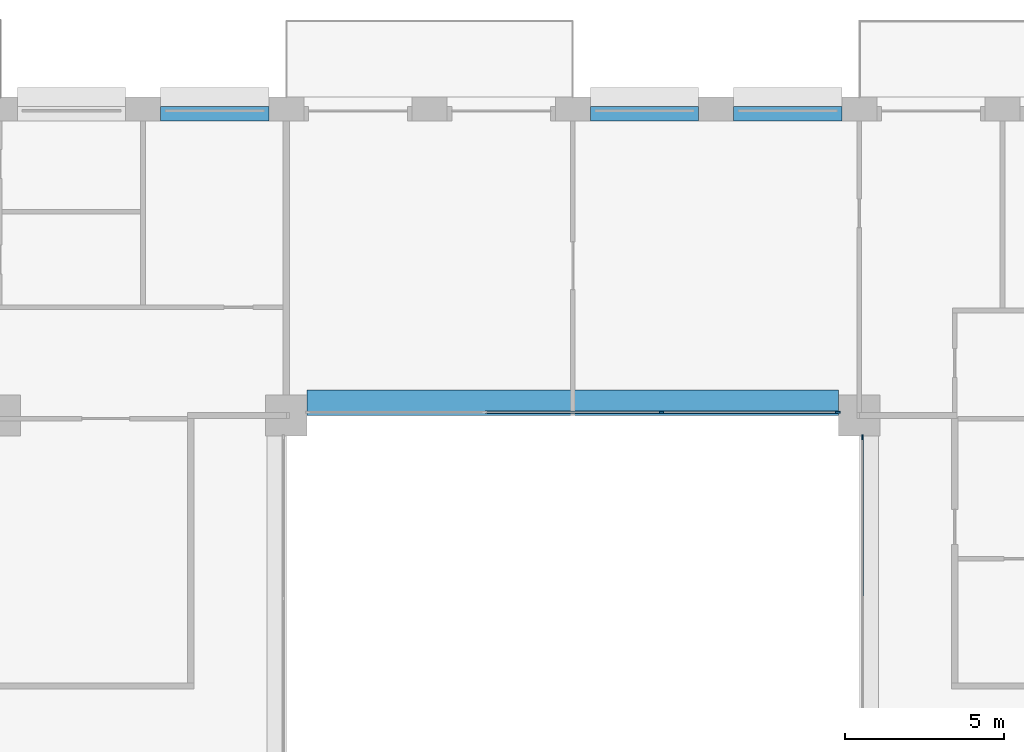
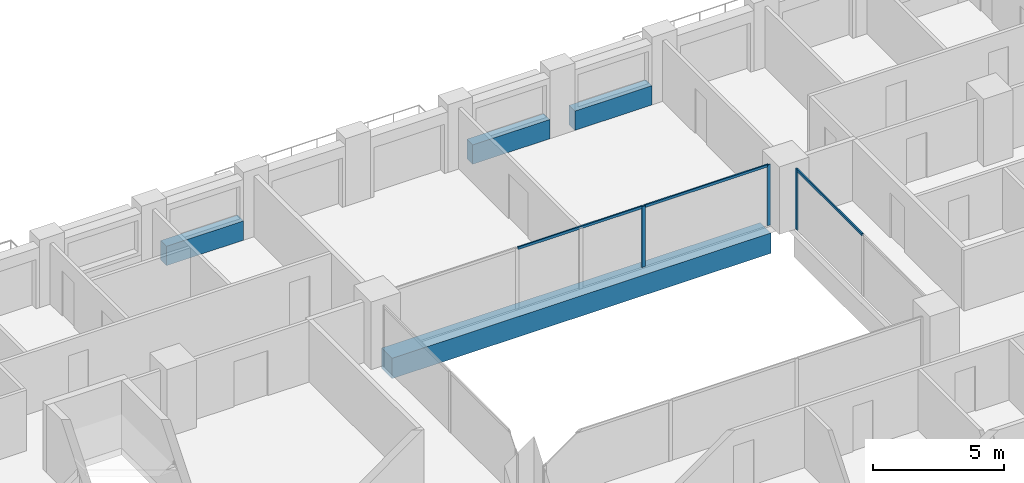
# One storey, part 6 of 16: 6 members, 4 beams, 2 elements without a shape of their own.
"""IFC4 building model written with IfcOpenShell, lengths in metres."""

from ifc_helpers import new_model, si_unit, direction, frame, origin, origin_2d, place, context, subcontext, project, spatial, rectangle, extrude, material, layer, layer_set, material_profile, profile_set, type_object, element, aggregate, save


model = new_model("IFC4")

# Units and contexts
model_context = context("Model", 3, precision=1e-05, world=origin(), true_north=direction((0.0, 1.0)))
body_context = subcontext(model_context, "Body", "Model", "MODEL_VIEW")
ifc_project = project(units=[si_unit("LENGTHUNIT", "METRE"), si_unit("AREAUNIT", "SQUARE_METRE"), si_unit("VOLUMEUNIT", "CUBIC_METRE"), si_unit("PLANEANGLEUNIT", "RADIAN"), si_unit("MASSUNIT", "GRAM", prefix="KILO")], contexts=[model_context])

# Site, building, storey
site_placement = place(None, origin())
site = spatial("IfcSite", under=ifc_project, at=site_placement, CompositionType="ELEMENT")
building_placement = place(site_placement, origin())
building = spatial("IfcBuilding", under=site, at=building_placement, Name="Brigalow Station Residences", CompositionType="ELEMENT")
storey_placement = place(building_placement, frame((0.0, 0.0, 83.550048828125)))
storey = spatial("IfcBuildingStorey", under=building, at=storey_placement, Name="L23", CompositionType="ELEMENT", Elevation=83.550048828125)

# Beam
ifc_material_1 = material(Name="Concrete C65", Category="concrete")
ifc_material_profile_1 = material_profile(ifc_material_1, rectangle(XDim=0.800048828125, YDim=0.949951171875, at=origin_2d()), Name="RC800x950")
ifc_profile_set_1 = profile_set([ifc_material_profile_1], Name="Concrete C65")
beam_type_1 = type_object("IfcBeamType", Name="ATRIUM EDGE GIRDER OVER 13.5 M SPAN 800x950 C65", PredefinedType="BEAM", material=ifc_profile_set_1)
beam_placement = place(storey_placement, frame((27.64990234375, 35.89990234375, -0.795166015625), z_axis=(1.0, 0.0, 0.0), x_axis=(0.0, 1.0, 0.0)))
element("IfcBeam", 1, at=beam_placement, inside=storey, type_object=beam_type_1, Name="ATRIUM EDGE GIRDER D L23", PredefinedType="BEAM", context=body_context, shape_type="SweptSolid", body=[
    extrude(rectangle(XDim=0.800048828125, YDim=0.949951171875, at=origin_2d()), origin(), (0.0, 0.0, 1.0), 16.7001953125),
])

# Curtain wall, member
ifc_material_2 = material(Name="Aluminium", Category="aluminium")
ifc_layer = layer(ifc_material_2, 0.14990234375)
ifc_layer_set = layer_set([ifc_layer], Name="ATRIUM FIRE-RATED GLAZING CURTAIN WALL")
curtain_wall_type = type_object("IfcCurtainWallType", Name="ATRIUM FIRE-RATED GLAZING CURTAIN WALL", PredefinedType="NOTDEFINED", material=ifc_layer_set)
curtain_wall_1_placement = place(storey_placement, origin())
curtain_wall_1 = element("IfcCurtainWall", 2, at=curtain_wall_1_placement, inside=storey, type_object=curtain_wall_type, Name="L23/cw/atrium-E", PredefinedType="NOTDEFINED")
ifc_material_3 = material(Name="Aluminium", Category="aluminium")
ifc_material_profile_2 = material_profile(ifc_material_3, rectangle(XDim=0.06005859375, YDim=0.14990234375, at=origin_2d()), Name="ATRIUM FIRE-RATED GLAZING MULLION 60x150")
ifc_profile_set_2 = profile_set([ifc_material_profile_2], Name="Aluminium")
member_type_1 = type_object("IfcMemberType", Name="ATRIUM FIRE-RATED GLAZING MULLION 60x150", PredefinedType="MULLION", material=ifc_profile_set_2)
member_1_placement = place(storey_placement, frame((45.10009765625, 34.820068359375, 0.0), z_axis=(0.0, 0.0, 1.0), x_axis=(-1.0, 0.0, 0.0)))
member_1 = element("IfcMember", 3, at=member_1_placement, type_object=member_type_1, Name="L23/cw/atrium-E/M02", PredefinedType="MULLION", context=body_context, shape_type="SweptSolid", body=[
    extrude(rectangle(XDim=0.06005859375, YDim=0.14990234375, at=origin_2d()), origin(), (0.0, 0.0, 1.0), 2.829833984375),
])

# Curtain wall, members
curtain_wall_2_placement = place(storey_placement, origin())
curtain_wall_2 = element("IfcCurtainWall", 4, at=curtain_wall_2_placement, inside=storey, type_object=curtain_wall_type, Name="L23/cw/atrium-N", PredefinedType="NOTDEFINED")
member_2_placement = place(storey_placement, frame((44.320068359375, 35.60009765625, 0.0), z_axis=(0.0, 0.0, 1.0), x_axis=(0.0, -1.0, 0.0)))
member_2 = element("IfcMember", 5, at=member_2_placement, type_object=member_type_1, Name="L23/cw/atrium-N/M00", PredefinedType="MULLION", context=body_context, shape_type="SweptSolid", body=[
    extrude(rectangle(XDim=0.06005859375, YDim=0.14990234375, at=origin_2d()), origin(), (0.0, 0.0, 1.0), 2.829833984375),
])
member_3_placement = place(storey_placement, frame((38.783203125, 35.60009765625, 0.0), z_axis=(0.0, 0.0, 1.0), x_axis=(0.0, -1.0, 0.0)))
member_3 = element("IfcMember", 6, at=member_3_placement, type_object=member_type_1, Name="L23/cw/atrium-N/M01", PredefinedType="MULLION", context=body_context, shape_type="SweptSolid", body=[
    extrude(rectangle(XDim=0.06005859375, YDim=0.14990234375, at=origin_2d()), origin(), (0.0, 0.0, 1.0), 2.829833984375),
])

# Member
ifc_material_4 = material(Name="Aluminium", Category="aluminium")
ifc_material_profile_3 = material_profile(ifc_material_4, rectangle(XDim=0.06005859375, YDim=0.1201171875, at=origin_2d()), Name="ATRIUM FIRE-RATED GLAZING TRANSOM 60x120")
ifc_profile_set_3 = profile_set([ifc_material_profile_3], Name="Aluminium")
member_type_2 = type_object("IfcMemberType", Name="ATRIUM FIRE-RATED GLAZING TRANSOM 60x120", PredefinedType="USERDEFINED", material=ifc_profile_set_3)
member_4_placement = place(storey_placement, frame((45.10009765625, 29.780029296875, 2.800048828125), z_axis=(0.0, 1.0, 0.0), x_axis=(-1.0, 0.0, 0.0)))
member_4 = element("IfcMember", 7, at=member_4_placement, type_object=member_type_2, Name="L23/cw/atrium-E/T01-00", ObjectType="TRANSOM", PredefinedType="USERDEFINED", context=body_context, shape_type="SweptSolid", body=[
    extrude(rectangle(XDim=0.06005859375, YDim=0.1201171875, at=origin_2d()), origin(), (0.0, 0.0, 1.0), 5.010009765625),
])

aggregate(curtain_wall_1, [member_1, member_4])

member_5_placement = place(storey_placement, frame((44.2900390625, 35.60009765625, 2.800048828125), z_axis=(-1.0, 0.0, 0.0), x_axis=(0.0, -1.0, 0.0)))
member_5 = element("IfcMember", 8, at=member_5_placement, type_object=member_type_2, Name="L23/cw/atrium-N/T00-00", ObjectType="TRANSOM", PredefinedType="USERDEFINED", context=body_context, shape_type="SweptSolid", body=[
    extrude(rectangle(XDim=0.06005859375, YDim=0.1201171875, at=origin_2d()), origin(), (0.0, 0.0, 1.0), 5.476806640625),
])

member_6_placement = place(storey_placement, frame((38.75341796875, 35.60009765625, 2.800048828125), z_axis=(-1.0, 0.0, 0.0), x_axis=(0.0, -1.0, 0.0)))
member_6 = element("IfcMember", 9, at=member_6_placement, type_object=member_type_2, Name="L23/cw/atrium-N/T01-00", ObjectType="TRANSOM", PredefinedType="USERDEFINED", context=body_context, shape_type="SweptSolid", body=[
    extrude(rectangle(XDim=0.06005859375, YDim=0.1201171875, at=origin_2d()), origin(), (0.0, 0.0, 1.0), 5.5068359375),
])

aggregate(curtain_wall_2, [member_2, member_3, member_5, member_6])

# Beams
ifc_material_5 = material(Name="Concrete C65", Category="concrete")
ifc_material_profile_4 = material_profile(ifc_material_5, rectangle(XDim=0.449951171875, YDim=0.89990234375, at=origin_2d()), Name="RC450x900")
ifc_profile_set_4 = profile_set([ifc_material_profile_4], Name="Concrete C65")
beam_type_2 = type_object("IfcBeamType", Name="SPANDREL BEAM 450x900 C65", PredefinedType="SPANDREL", material=ifc_profile_set_4)
for number, where, z_axis, x_axis, name in (
    (10, (44.449951171875, 44.97509765625, 0.449951171875), (-1.0, 0.0, 0.0), (0.0, -1.0, 0.0), "L23/spandrel/W-L23-29"),
    (11, (39.949951171875, 44.97509765625, 0.449951171875), (-1.0, 0.0, 0.0), (0.0, -1.0, 0.0), "L23/spandrel/W-L23-30"),
    (12, (26.449951171875, 44.97509765625, 0.449951171875), (-1.0, 0.0, 0.0), (0.0, -1.0, 0.0), "L23/spandrel/W-L23-33"),
):
    element("IfcBeam", number, at=place(storey_placement, frame(where, z_axis=z_axis, x_axis=x_axis)), inside=storey, type_object=beam_type_2, Name=name, PredefinedType="SPANDREL", context=body_context, shape_type="SweptSolid", body=[
        extrude(rectangle(XDim=0.449951171875, YDim=0.89990234375, at=origin_2d()), origin(), (0.0, 0.0, 1.0), 3.39990234375),
    ])

save(model, "model.ifc")
